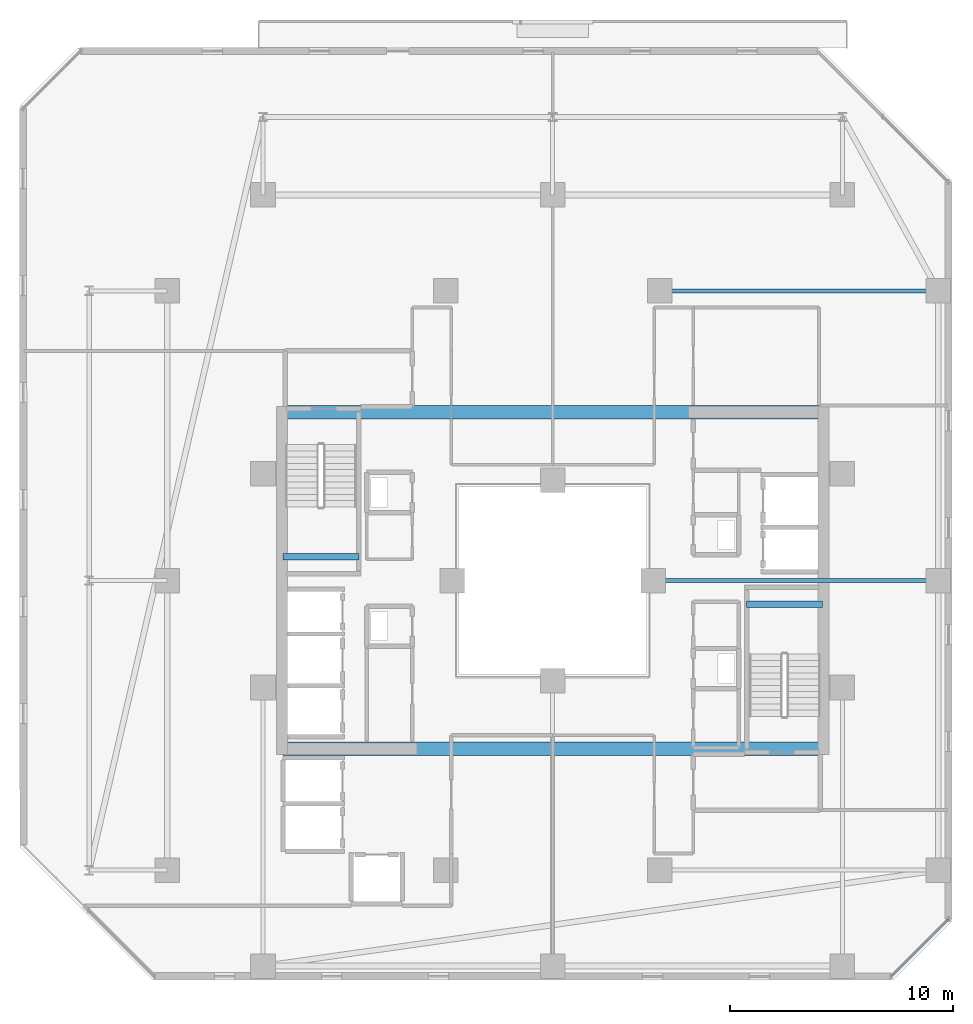
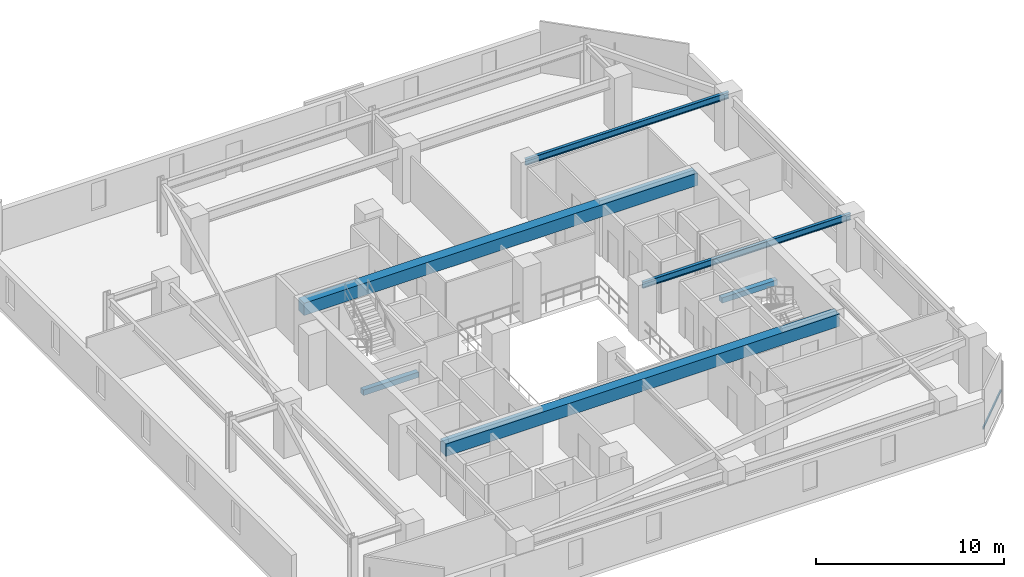
# One storey, part 14 of 32: 6 beams, 1 member, 1 element without a shape of its own.
"""IFC4 building model written with IfcOpenShell, lengths in metres."""

from ifc_helpers import new_model, si_unit, direction, frame, origin, origin_2d, place, context, subcontext, project, spatial, rectangle, hollow_rectangle, i_section, extrude, material, material_profile, profile_set, type_object, element, aggregate, save


model = new_model("IFC4")

# Units and contexts
model_context = context("Model", 3, precision=1e-05, world=origin(), true_north=direction((0.0, 1.0)))
body_context = subcontext(model_context, "Body", "Model", "MODEL_VIEW")
ifc_project = project(units=[si_unit("LENGTHUNIT", "METRE"), si_unit("AREAUNIT", "SQUARE_METRE"), si_unit("VOLUMEUNIT", "CUBIC_METRE"), si_unit("PLANEANGLEUNIT", "RADIAN"), si_unit("MASSUNIT", "GRAM", prefix="KILO")], contexts=[model_context])

# Site, building, storey
site_placement = place(None, origin())
site = spatial("IfcSite", under=ifc_project, at=site_placement, CompositionType="ELEMENT")
building_placement = place(site_placement, origin())
building = spatial("IfcBuilding", under=site, at=building_placement, Name="Thornwick Lancets Civic Towers", CompositionType="ELEMENT")
storey_placement = place(building_placement, frame((0.0, 0.0, 178.5)))
storey = spatial("IfcBuildingStorey", under=building, at=storey_placement, Name="L47", CompositionType="ELEMENT", Elevation=178.5)

# Beams
ifc_material_1 = material(Name="Concrete C60/75", Category="concrete")
ifc_material_profile_1 = material_profile(ifc_material_1, rectangle(XDim=0.60009765625, YDim=0.800048828125, at=origin_2d()), Name="RC 600x800")
ifc_profile_set_1 = profile_set([ifc_material_profile_1], Name="Concrete C60/75")
beam_type_1 = type_object("IfcBeamType", Name="BM_COUP_RC800", PredefinedType="BEAM", material=ifc_profile_set_1)
for number, where, z_axis, x_axis, name in (
    (1, (76.39990234375, 34.550048828125, 2.9599609375), (1.0, 0.0, 0.0), (0.0, 1.0, 0.0), "CB-L47-B1"),
    (2, (76.39990234375, 19.449951171875, 2.9599609375), (1.0, 0.0, 0.0), (0.0, 1.0, 0.0), "CB-L47-B2"),
):
    element("IfcBeam", number, at=place(storey_placement, frame(where, z_axis=z_axis, x_axis=x_axis)), inside=storey, type_object=beam_type_1, Name=name, PredefinedType="BEAM", context=body_context, shape_type="SweptSolid", body=[
        extrude(rectangle(XDim=0.60009765625, YDim=0.800048828125, at=origin_2d()), origin(), (0.0, 0.0, 1.0), 24.2001953125),
    ])
ifc_material_2 = material(Name="Steel S355JR", Category="steel")
ifc_material_profile_2 = material_profile(ifc_material_2, i_section(OverallWidth=0.179443359375, OverallDepth=0.412841796875, WebThickness=0.009521484375, FlangeThickness=0.01611328125, FilletRadius=0.01025390625, at=origin_2d()), Name="UKB 406x178x74")
ifc_profile_set_2 = profile_set([ifc_material_profile_2], Name="Steel S355JR")
beam_type_2 = type_object("IfcBeamType", Name="BM_JOIST_406_74", PredefinedType="JOIST", material=ifc_profile_set_2)
beam_1_placement = place(storey_placement, frame((93.0, 27.0, 3.153564453125), z_axis=(1.0, 0.0, 0.0), x_axis=(0.0, 1.0, 0.0)))
element("IfcBeam", 3, at=beam_1_placement, inside=storey, type_object=beam_type_2, Name="BM-RADIN-L47-B02", PredefinedType="JOIST", context=body_context, shape_type="SweptSolid", body=[
    extrude(i_section(OverallWidth=0.179443359375, OverallDepth=0.412841796875, WebThickness=0.009521484375, FlangeThickness=0.01611328125, FilletRadius=0.01025390625, at=origin_2d()), origin(), (0.0, 0.0, 1.0), 12.800048828125),
])
beam_2_placement = place(storey_placement, frame((93.300048828125, 40.0, 3.153564453125), z_axis=(1.0, 0.0, 0.0), x_axis=(0.0, 1.0, 0.0)))
element("IfcBeam", 4, at=beam_2_placement, inside=storey, type_object=beam_type_2, Name="BM-RADIN-L47-B03", PredefinedType="JOIST", context=body_context, shape_type="SweptSolid", body=[
    extrude(i_section(OverallWidth=0.179443359375, OverallDepth=0.412841796875, WebThickness=0.009521484375, FlangeThickness=0.01611328125, FilletRadius=0.01025390625, at=origin_2d()), origin(), (0.0, 0.0, 1.0), 12.5),
])
ifc_material_3 = material(Name="Concrete C40/50", Category="concrete")
ifc_material_profile_3 = material_profile(ifc_material_3, rectangle(XDim=0.300048828125, YDim=0.35009765625, at=origin_2d()), Name="RC 300x350")
ifc_profile_set_3 = profile_set([ifc_material_profile_3], Name="Concrete C40/50")
beam_type_3 = type_object("IfcBeamType", Name="BM_STAIR_LDG", PredefinedType="BEAM", material=ifc_profile_set_3)
for number, where, z_axis, x_axis, name in (
    (5, (100.60009765625, 25.93505859375, 1.3779296875), (-1.0, 0.0, 0.0), (0.0, -1.0, 0.0), "L47 ST-B1 Landing Support Beam 1"),
    (6, (76.39990234375, 28.06494140625, 1.3779296875), (1.0, 0.0, 0.0), (0.0, 1.0, 0.0), "L47 ST-B2 Landing Support Beam 1"),
):
    element("IfcBeam", number, at=place(storey_placement, frame(where, z_axis=z_axis, x_axis=x_axis)), inside=storey, type_object=beam_type_3, Name=name, PredefinedType="BEAM", context=body_context, shape_type="SweptSolid", body=[
        extrude(rectangle(XDim=0.300048828125, YDim=0.35009765625, at=origin_2d()), origin(), (0.0, 0.0, 1.0), 3.400146484375),
    ])

# Curtain wall, member
ifc_material_4 = material(Name="Mid-zone chamfered-corner unitised glass curtain wall", Category="glass")
curtain_wall_type = type_object("IfcCurtainWallType", Name="CW_SYS_04", PredefinedType="NOTDEFINED", material=ifc_material_4)
curtain_wall_placement = place(storey_placement, origin())
curtain_wall = element("IfcCurtainWall", 7, at=curtain_wall_placement, inside=storey, type_object=curtain_wall_type, Name="L47 Curtain Wall CW-L47-B-E1", PredefinedType="NOTDEFINED")
ifc_material_5 = material(Name="Thermally broken bronze aluminium S355", Category="steel")
ifc_material_profile_4 = material_profile(ifc_material_5, hollow_rectangle(XDim=0.074951171875, YDim=0.14990234375, WallThickness=0.0048828125, at=origin_2d()), Name="RHS 150x75x5")
ifc_profile_set_4 = profile_set([ifc_material_profile_4], Name="Thermally broken bronze aluminium S355")
member_type = type_object("IfcMemberType", Name="CW_TRN_150", PredefinedType="USERDEFINED", material=ifc_profile_set_4)
member_placement = place(storey_placement, frame((103.695556640625, 9.24951171875, 0.85009765625), z_axis=(0.707106781187, 0.707106781187, 0.0), x_axis=(-0.707106781187, 0.707106781187, 0.0)))
member = element("IfcMember", 8, at=member_placement, type_object=member_type, Name="CW-L47-B-E1 Transom 0", ObjectType="TRANSOM", PredefinedType="USERDEFINED", context=body_context, shape_type="SweptSolid", body=[
    extrude(hollow_rectangle(XDim=0.074951171875, YDim=0.14990234375, WallThickness=0.0048828125, at=origin_2d()), origin(), (0.0, 0.0, 1.0), 3.61328125),
])
aggregate(curtain_wall, [member])

save(model, "model.ifc")
